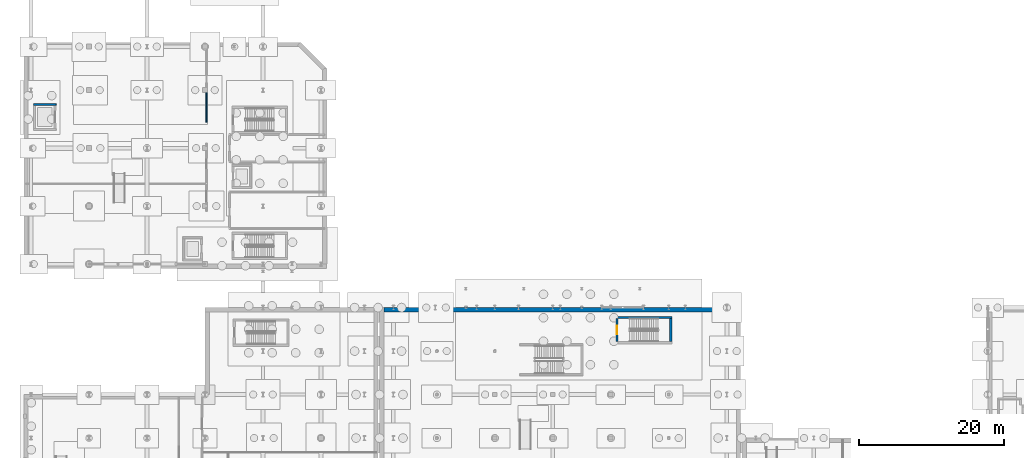
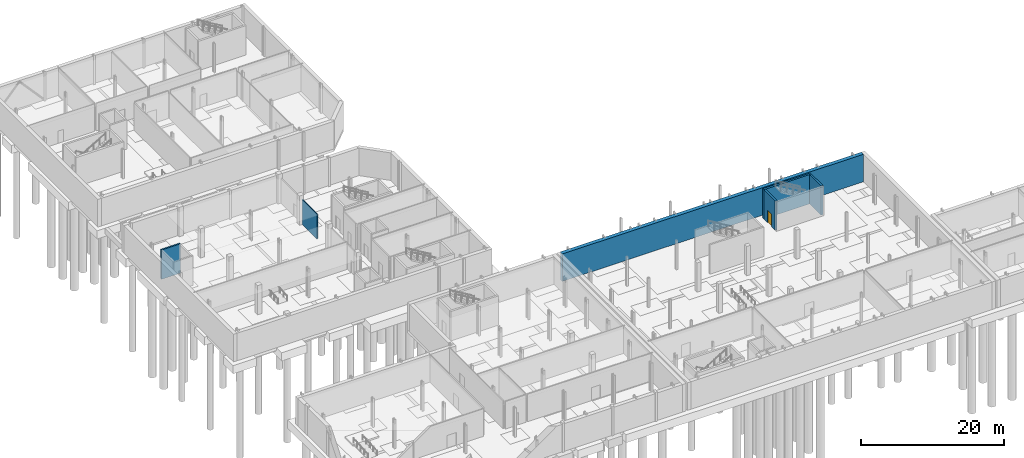
# One storey, part 27 of 47: 6 walls, 1 door, 1 opening.
"""IFC4 building model written with IfcOpenShell, lengths in metres."""

from ifc_helpers import new_model, si_unit, direction, frame, frame_2d, origin, place, context, subcontext, project, spatial, rectangle, extrude, material, layer, layer_set, type_object, element, fill, save


model = new_model("IFC4")

# Units and contexts
model_context = context("Model", 3, precision=1e-05, world=origin(), true_north=direction((0.0, 1.0)))
body_context = subcontext(model_context, "Body", "Model", "MODEL_VIEW")
ifc_project = project(units=[si_unit("LENGTHUNIT", "METRE"), si_unit("AREAUNIT", "SQUARE_METRE"), si_unit("VOLUMEUNIT", "CUBIC_METRE"), si_unit("PLANEANGLEUNIT", "RADIAN"), si_unit("MASSUNIT", "GRAM", prefix="KILO")], contexts=[model_context])

# Site, building, storey
site_placement = place(None, origin())
site = spatial("IfcSite", under=ifc_project, at=site_placement, CompositionType="ELEMENT")
building_placement = place(site_placement, origin())
building = spatial("IfcBuilding", under=site, at=building_placement, Name="Cymarion Research Institute", CompositionType="ELEMENT")
storey_placement = place(building_placement, frame((0.0, 0.0, -5.0)))
storey = spatial("IfcBuildingStorey", under=building, at=storey_placement, Name="B1", CompositionType="ELEMENT", Elevation=-5.0)

# Walls
ifc_material_1 = material(Name="Concrete C35/45", Category="concrete")
ifc_layer_1 = layer(ifc_material_1, 0.60009765625)
ifc_layer_set_1 = layer_set([ifc_layer_1], Name="Concrete C35/45")
wall_type_1 = type_object("IfcWallType", Name="EXTERIOR WALL EW-RET600 600MM", PredefinedType="SHEAR", material=ifc_layer_set_1)
wall_1_placement = place(storey_placement, frame((103.91796875, 41.199951171875, 0.0), z_axis=(0.0, 0.0, 1.0), x_axis=(-1.0, 0.0, 0.0)))
element("IfcWall", 1, at=wall_1_placement, inside=storey, type_object=wall_type_1, Name="B1 V2 exterior wall EW-RET600 #20", PredefinedType="SHEAR", context=body_context, shape_type="SweptSolid", body=[
    extrude(rectangle(XDim=48.635986328125, YDim=0.60009765625, at=frame_2d((24.31787109375, 0.0))), origin(), (0.0, 0.0, 1.0), 4.699951171875),
])
ifc_material_2 = material(Name="ISO cleanroom modular flush panel wall", Category="metal")
ifc_layer_2 = layer(ifc_material_2, 0.159912109375)
ifc_layer_set_2 = layer_set([ifc_layer_2], Name="ISO cleanroom modular flush panel wall")
wall_type_2 = type_object("IfcWallType", Name="INTERIOR PARTITION IW-CL160 160MM", PredefinedType="PARTITIONING", material=ifc_layer_set_2)
wall_2_placement = place(storey_placement, frame((30.800048828125, 67.050048828125, 0.0), z_axis=(0.0, 0.0, 1.0), x_axis=(0.0, 1.0, 0.0)))
element("IfcWall", 2, at=wall_2_placement, inside=storey, type_object=wall_type_2, Name="B1 V4 interior partition IW-CL160 #29", PredefinedType="PARTITIONING", context=body_context, shape_type="SweptSolid", body=[
    extrude(rectangle(XDim=4.199951171875, YDim=0.159912109375, at=frame_2d((2.10009765625, 0.0))), origin(), (0.0, 0.0, 1.0), 4.199951171875),
])
ifc_material_3 = material(Name="Concrete C40/50", Category="concrete")
ifc_layer_3 = layer(ifc_material_3, 0.25)
ifc_layer_set_3 = layer_set([ifc_layer_3], Name="Concrete C40/50")
wall_type_3 = type_object("IfcWallType", Name="REINFORCED CONCRETE CORE WALL CW-SH250 250MM", PredefinedType="SHEAR", material=ifc_layer_set_3)
wall_3_placement = place(storey_placement, frame((10.050048828125, 69.52490234375, 0.0), z_axis=(0.0, 0.0, 1.0), x_axis=(-1.0, 0.0, 0.0)))
element("IfcWall", 3, at=wall_3_placement, inside=storey, type_object=wall_type_3, Name="B1 LSH-LG1-B1 north core wall", PredefinedType="SHEAR", context=body_context, shape_type="SweptSolid", body=[
    extrude(rectangle(XDim=3.10009765625, YDim=0.25, at=frame_2d((1.550048828125, 0.0))), origin(), (0.0, 0.0, 1.0), 5.0),
])
ifc_layer_4 = layer(ifc_material_3, 0.300048828125)
ifc_layer_set_4 = layer_set([ifc_layer_4], Name="Concrete C40/50")
wall_type_4 = type_object("IfcWallType", Name="REINFORCED CONCRETE CORE WALL CW-SH300 300MM", PredefinedType="SHEAR", material=ifc_layer_set_4)
wall_4_placement = place(storey_placement, frame((95.0, 40.14990234375, 0.0), z_axis=(0.0, 0.0, 1.0), x_axis=(-1.0, 0.0, 0.0)))
element("IfcWall", 4, at=wall_4_placement, inside=storey, type_object=wall_type_4, Name="B1 SHW-C4-B1 north core wall", PredefinedType="SHEAR", context=body_context, shape_type="SweptSolid", body=[
    extrude(rectangle(XDim=7.699951171875, YDim=0.300048828125, at=frame_2d((3.85009765625, 0.0))), origin(), (0.0, 0.0, 1.0), 5.0),
])

# Wall, opening, door
wall_5_placement = place(storey_placement, frame((87.449951171875, 40.0, 0.0), z_axis=(0.0, 0.0, 1.0), x_axis=(0.0, -1.0, 0.0)))
wall_5 = element("IfcWall", 5, at=wall_5_placement, inside=storey, type_object=wall_type_4, Name="B1 SHW-C4-B1 west core wall", PredefinedType="SHEAR", context=body_context, shape_type="SweptSolid", body=[
    extrude(rectangle(XDim=3.199951171875, YDim=0.300048828125, at=frame_2d((1.60009765625, 0.0))), origin(), (0.0, 0.0, 1.0), 5.0),
])
opening_placement = place(wall_5_placement, frame((1.0, 0.0, 0.0)))
opening = element("IfcOpeningElement", 6, at=opening_placement, cuts=wall_5, Name="Opening FD-B1-ST4", PredefinedType="OPENING", context=body_context, shape_type="SweptSolid", body=[
    extrude(rectangle(XDim=1.199951171875, YDim=2.14990234375, at=frame_2d((0.60009765625, 1.074951171875))), frame((0.0, 0.159912109375, 0.0), z_axis=(0.0, -1.0, 0.0), x_axis=(1.0, 0.0, 0.0)), (0.0, 0.0, 1.0), 0.320068359375),
])
ifc_material_4 = material(Name="Fire-rated insulated steel door assembly", Category="steel")
door_type = type_object("IfcDoorType", Name="SMOKE PROOF STAIR FIRE DOOR DT-ST120 1200X2150", OperationType="NOTDEFINED", PredefinedType="DOOR", material=ifc_material_4)
door_placement = place(opening_placement, origin())
door = element("IfcDoor", 7, at=door_placement, inside=storey, type_object=door_type, Name="B1 ST4 smoke-proof stair door FD-B1-ST4", OperationType="SINGLE_SWING_RIGHT", OverallHeight=2.14990234375, OverallWidth=1.199951171875, PredefinedType="DOOR", context=body_context, shape_type="SweptSolid", body=[
    extrude(rectangle(XDim=1.199951171875, YDim=2.14990234375, at=frame_2d((0.60009765625, 1.074951171875))), frame((0.0, 0.02490234375, 0.0), z_axis=(0.0, -1.0, 0.0), x_axis=(1.0, 0.0, 0.0)), (0.0, 0.0, 1.0), 0.050048828125),
])
fill(opening, door)

# Wall
wall_6_placement = place(storey_placement, frame((94.85009765625, 36.800048828125, 0.0), z_axis=(0.0, 0.0, 1.0), x_axis=(0.0, 1.0, 0.0)))
element("IfcWall", 8, at=wall_6_placement, inside=storey, type_object=wall_type_4, Name="B1 SHW-C4-B1 east core wall", PredefinedType="SHEAR", context=body_context, shape_type="SweptSolid", body=[
    extrude(rectangle(XDim=3.199951171875, YDim=0.300048828125, at=frame_2d((1.60009765625, 0.0))), origin(), (0.0, 0.0, 1.0), 5.0),
])

save(model, "model.ifc")
